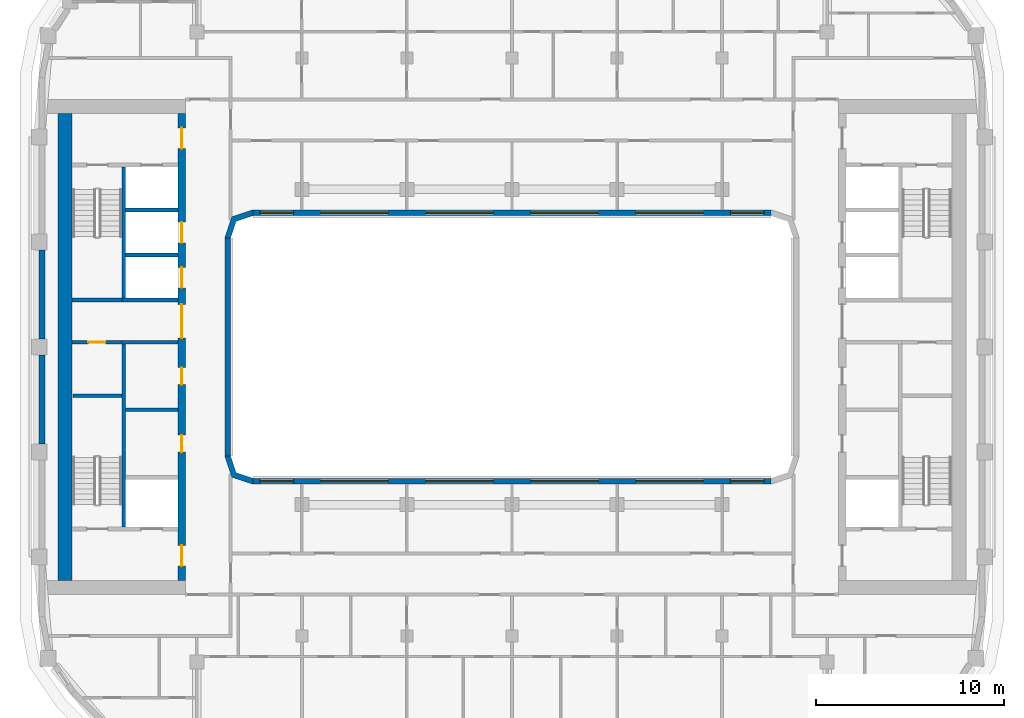
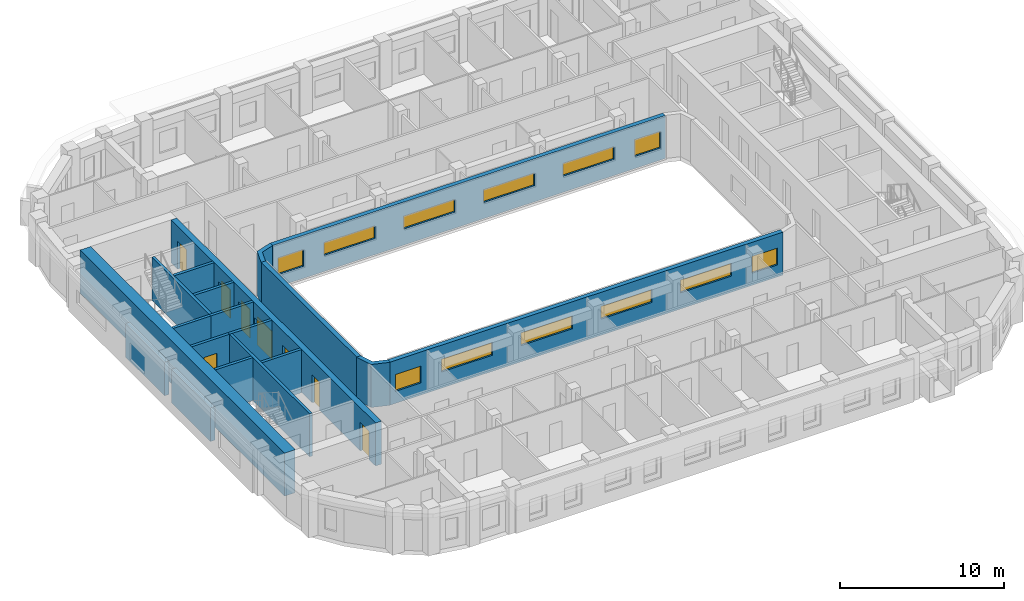
# One storey, part 4 of 21: 19 walls, 12 windows, 8 doors, 20 openings.
"""IFC4 building model written with IfcOpenShell, lengths in metres."""

import ifcopenshell
import ifcopenshell.guid

model = None  # the IFC model being written
_history = None  # IfcOwnerHistory: only IFC2X3 demands one
_inside = {}  # id of a spatial element -> (the spatial element, [elements in it])
_under = {}  # id of a project, library or spatial element -> (it, [spatial elements below it])
_declared = {}  # id of a project -> (the project, [libraries it declares])
_typed = {}  # id of a type object -> (the type object, [elements of that type])
_made_of = {}  # id of a material, layer set ... -> (it, [elements and type objects made of it])


def new_model(schema):
    """Start an empty IFC model of exactly this schema.

    Asked for "IFC4X3", IfcOpenShell would pick the latest addendum, in which some entities
    have other attributes; the version numbers below select the first issue.
    IFC2X3 requires an IfcOwnerHistory on every rooted entity: one is made here for all.
    """
    global model, _history
    if schema == "IFC4X3":
        model = ifcopenshell.file(schema_version=(4, 3, 0, 0))
    else:
        model = ifcopenshell.file(schema=schema)
    _inside.clear()
    _under.clear()
    _declared.clear()
    _typed.clear()
    _made_of.clear()
    _history = None
    if model.schema == "IFC2X3":
        org = make("IfcOrganization", Name="unknown")
        user = make(
            "IfcPersonAndOrganization",
            ThePerson=make("IfcPerson", FamilyName="unknown"),
            TheOrganization=org,
        )
        app = make(
            "IfcApplication",
            ApplicationDeveloper=org,
            Version="unknown",
            ApplicationFullName="unknown",
            ApplicationIdentifier="unknown",
        )
        _history = make(
            "IfcOwnerHistory",
            OwningUser=user,
            OwningApplication=app,
            ChangeAction="ADDED",
            CreationDate=0,
        )
    return model


def make(cls, **values):
    """One entity of the class cls with the attributes given. An attribute that is None is left unset."""
    return model.create_entity(
        cls, **{name: value for name, value in values.items() if value is not None}
    )


def rooted(cls, **values):
    """An entity with a GlobalId (a new one), such as an element, a storey or a relation."""
    return make(cls, GlobalId=ifcopenshell.guid.new(), OwnerHistory=_history, **values)


def si_unit(unit_type, name, prefix=None):
    """IfcSIUnit, for example si_unit("LENGTHUNIT", "METRE", prefix="MILLI")."""
    return make("IfcSIUnit", UnitType=unit_type, Prefix=prefix, Name=name)


def assignment(units):
    """IfcUnitAssignment: the units of a project."""
    return None if units is None else make("IfcUnitAssignment", Units=units)


def point(xyz):
    """IfcCartesianPoint."""
    return None if xyz is None else make("IfcCartesianPoint", Coordinates=xyz)


def direction(xyz):
    """IfcDirection."""
    return None if xyz is None else make("IfcDirection", DirectionRatios=xyz)


def frame(location, z_axis=None, x_axis=None):
    """IfcAxis2Placement3D, a coordinate frame: its origin and axes. An axis left out is left unset."""
    return make(
        "IfcAxis2Placement3D",
        Location=point(location),
        Axis=direction(z_axis),
        RefDirection=direction(x_axis),
    )


def frame_2d(location, x_axis=None):
    """IfcAxis2Placement2D, a coordinate frame in the plane: its origin and x axis."""
    return make(
        "IfcAxis2Placement2D", Location=point(location), RefDirection=direction(x_axis)
    )


def origin():
    """The frame at (0, 0, 0) with its axes left unset."""
    return frame((0.0, 0.0, 0.0))


def place(relative_to, where):
    """IfcLocalPlacement: puts the frame where relative to a parent placement (None: the world)."""
    return make(
        "IfcLocalPlacement", PlacementRelTo=relative_to, RelativePlacement=where
    )


def context(
    kind, dimensions, precision=None, world=None, true_north=None, identifier=None
):
    """IfcGeometricRepresentationContext, for example the 3D "Model" context."""
    return make(
        "IfcGeometricRepresentationContext",
        ContextIdentifier=identifier,
        ContextType=kind,
        CoordinateSpaceDimension=dimensions,
        Precision=precision,
        WorldCoordinateSystem=world,
        TrueNorth=true_north,
    )


def subcontext(parent, identifier, kind, view, scale=None):
    """IfcGeometricRepresentationSubContext, for example "Body" below "Model"."""
    return make(
        "IfcGeometricRepresentationSubContext",
        ContextIdentifier=identifier,
        ContextType=kind,
        ParentContext=parent,
        TargetScale=scale,
        TargetView=view,
    )


def project(units=None, contexts=None):
    """IfcProject with its units and contexts."""
    return rooted(
        "IfcProject",
        Name="project",
        RepresentationContexts=contexts,
        UnitsInContext=assignment(units),
    )


def spatial(cls, under=None, at=None, **own):
    """A site, building, storey or space (cls), placed at a placement, below another one or the project."""
    s = rooted(cls, ObjectPlacement=at, **own)
    if under is not None:
        _under.setdefault(under.id(), (under, []))[1].append(s)
    return s


def polyline(points):
    """IfcPolyline through the points."""
    return make("IfcPolyline", Points=[point(p) for p in points])


def profile(cls, at=None, kind="AREA", **sizes):
    """A parametric profile (cls). Its sizes go by their IFC names, for example OverallWidth=200.0."""
    return make(cls, ProfileType=kind, Position=at, **sizes)


def rectangle(**sizes):
    """IfcRectangleProfileDef."""
    return profile("IfcRectangleProfileDef", **sizes)


def outline(outer, holes=None, kind="AREA"):
    """IfcArbitraryClosedProfileDef: a profile drawn as a closed curve; with holes, ...WithVoids."""
    if holes is None:
        return make("IfcArbitraryClosedProfileDef", ProfileType=kind, OuterCurve=outer)
    return make(
        "IfcArbitraryProfileDefWithVoids",
        ProfileType=kind,
        OuterCurve=outer,
        InnerCurves=holes,
    )


def extrude(swept, where, along, depth):
    """IfcExtrudedAreaSolid: the profile swept, set in the frame where, extruded along a direction by depth."""
    return make(
        "IfcExtrudedAreaSolid",
        SweptArea=swept,
        Position=where,
        ExtrudedDirection=direction(along),
        Depth=depth,
    )


def shape(context_of_items, identifier, shape_type, items):
    """IfcShapeRepresentation: the items that make up one representation, for example the "Body"."""
    return make(
        "IfcShapeRepresentation",
        ContextOfItems=context_of_items,
        RepresentationIdentifier=identifier,
        RepresentationType=shape_type,
        Items=items,
    )


def material(Name=None, Category=None):
    """IfcMaterial."""
    return make("IfcMaterial", Name=Name, Category=Category)


def layer(
    of_material, thickness, ventilated=None, Name=None, Category=None, Priority=None
):
    """IfcMaterialLayer: one layer of a wall or slab, of a material (None: an air gap)."""
    return make(
        "IfcMaterialLayer",
        Material=of_material,
        LayerThickness=thickness,
        IsVentilated=ventilated,
        Name=Name,
        Category=Category,
        Priority=Priority,
    )


def layer_set(layers, Name=None):
    """IfcMaterialLayerSet."""
    return make("IfcMaterialLayerSet", MaterialLayers=layers, LayerSetName=Name)


def made_of(thing, what):
    """Note that an element or type object is made of a material, layer set ...; save() writes the relation."""
    if what is not None:
        _made_of.setdefault(what.id(), (what, []))[1].append(thing)
    return thing


def type_object(cls, material=None, **own):
    """A type object (cls), such as IfcWallType, which elements share."""
    return made_of(rooted(cls, **own), material)


def element(
    cls,
    number,
    at=None,
    inside=None,
    cuts=None,
    type_object=None,
    material=None,
    context=None,
    identifier="Body",
    shape_type=None,
    held_by="IfcProductDefinitionShape",
    body=None,
    shapes=None,
    **own,
):
    """One element of the class cls, such as IfcWall. Its Tag is "e" and its number.

    at: its placement. inside: the storey or other place that contains it. cuts: it is an
    opening in that element (IfcRelVoidsElement). A single representation is given by context,
    identifier, shape_type and body (its items); several are given by shapes. held_by: the class
    of the entity that holds the representations. save() writes the other relations.
    """
    e = rooted(cls, Tag="e%d" % number, ObjectPlacement=at, **own)
    if body is not None:
        shapes = [shape(context, identifier, shape_type, body)]
    if shapes is not None:
        e.Representation = make(held_by, Representations=shapes)
    if inside is not None:
        _inside.setdefault(inside.id(), (inside, []))[1].append(e)
    if cuts is not None:
        rooted(
            "IfcRelVoidsElement", RelatingBuildingElement=cuts, RelatedOpeningElement=e
        )
    if type_object is not None:
        _typed.setdefault(type_object.id(), (type_object, []))[1].append(e)
    return made_of(e, material)


def fill(opening, filler):
    """IfcRelFillsElement: the door or window that sits in an opening."""
    return rooted(
        "IfcRelFillsElement",
        RelatingOpeningElement=opening,
        RelatedBuildingElement=filler,
    )


def aggregate(whole, parts):
    """IfcRelAggregates: a whole, such as a stair, and the parts it consists of."""
    return rooted("IfcRelAggregates", RelatingObject=whole, RelatedObjects=parts)


def save(model, path):
    """Write the relations noted so far, then the file.

    IfcRelAggregates (storeys below a building ...), IfcRelContainedInSpatialStructure (elements
    in a storey), IfcRelDefinesByType, IfcRelAssociatesMaterial and IfcRelDeclares: one each for
    every whole, place, type object, material and project.
    """
    for whole, parts in _under.values():
        aggregate(whole, parts)
    for where, things in _inside.values():
        rooted(
            "IfcRelContainedInSpatialStructure",
            RelatedElements=things,
            RelatingStructure=where,
        )
    for kind, things in _typed.values():
        rooted("IfcRelDefinesByType", RelatedObjects=things, RelatingType=kind)
    for what, things in _made_of.values():
        rooted("IfcRelAssociatesMaterial", RelatedObjects=things, RelatingMaterial=what)
    for by, libraries in _declared.values():
        rooted("IfcRelDeclares", RelatingContext=by, RelatedDefinitions=libraries)
    model.write(path)


model = new_model("IFC4")

# Units and contexts
model_context = context("Model", 3, precision=1e-05, world=origin(), true_north=direction((0.0, 1.0)))
body_context = subcontext(model_context, "Body", "Model", "MODEL_VIEW")
ifc_project = project(units=[si_unit("LENGTHUNIT", "METRE"), si_unit("AREAUNIT", "SQUARE_METRE"), si_unit("VOLUMEUNIT", "CUBIC_METRE"), si_unit("PLANEANGLEUNIT", "RADIAN"), si_unit("MASSUNIT", "GRAM", prefix="KILO")], contexts=[model_context])

# Site, building, storey
site_placement = place(None, origin())
site = spatial("IfcSite", under=ifc_project, at=site_placement, CompositionType="ELEMENT")
building_placement = place(site_placement, origin())
building = spatial("IfcBuilding", under=site, at=building_placement, Name="Kiln Ring Residences", CompositionType="ELEMENT")
storey_placement = place(building_placement, frame((0.0, 0.0, 216.89990234375)))
storey = spatial("IfcBuildingStorey", under=building, at=storey_placement, Name="L56", CompositionType="ELEMENT", Elevation=216.89990234375)

# Wall, opening, door
ifc_material_1 = material(Name="Gypsum board on steel studs", Category="steel")
ifc_layer_1 = layer(ifc_material_1, 0.199951171875)
ifc_layer_set_1 = layer_set([ifc_layer_1], Name="CORE-PARTITION-200")
wall_type_1 = type_object("IfcWallType", Name="CORE-PARTITION-200", PredefinedType="PARTITIONING", material=ifc_layer_set_1)
wall_1_placement = place(storey_placement, frame((-20.800048828125, 0.25, 0.0), z_axis=(0.0, 0.0, 1.0), x_axis=(-1.0, 0.0, 0.0)))
wall_1 = element("IfcWall", 1, at=wall_1_placement, inside=storey, type_object=wall_type_1, Name="Core partition west L56 1", PredefinedType="PARTITIONING", context=body_context, shape_type="SweptSolid", body=[
    extrude(rectangle(XDim=2.64990234375, YDim=0.199951171875, at=frame_2d((1.324951171875, 0.0))), origin(), (0.0, 0.0, 1.0), 3.2001953125),
])
opening_1_placement = place(wall_1_placement, frame((0.875, 0.0, 0.0)))
opening_1 = element("IfcOpeningElement", 2, at=opening_1_placement, cuts=wall_1, Name="Opening L56-CW12", PredefinedType="OPENING", context=body_context, shape_type="SweptSolid", body=[
    extrude(rectangle(XDim=0.89990234375, YDim=2.10009765625, at=frame_2d((0.449951171875, 1.050048828125))), frame((0.0, 0.10986328125, 0.0), z_axis=(0.0, -1.0, 0.0), x_axis=(1.0, 0.0, 0.0)), (0.0, 0.0, 1.0), 0.219970703125),
])
ifc_material_2 = material(Name="Steel door leaf", Category="steel")
door_type_1 = type_object("IfcDoorType", Name="CORE-DOOR-ROOM", OperationType="SINGLE_SWING_LEFT", PredefinedType="DOOR", material=ifc_material_2)
door_1_placement = place(opening_1_placement, origin())
door_1 = element("IfcDoor", 3, at=door_1_placement, inside=storey, type_object=door_type_1, Name="Cleaner's store L56-CW12", OperationType="SINGLE_SWING_RIGHT", OverallHeight=2.10009765625, OverallWidth=0.89990234375, PredefinedType="DOOR", context=body_context, shape_type="SweptSolid", body=[
    extrude(rectangle(XDim=0.89990234375, YDim=2.10009765625, at=frame_2d((0.449951171875, 1.050048828125))), frame((0.0, 0.02490234375, 0.0), z_axis=(0.0, -1.0, 0.0), x_axis=(1.0, 0.0, 0.0)), (0.0, 0.0, 1.0), 0.050048828125),
])
fill(opening_1, door_1)

# Walls
wall_2_placement = place(storey_placement, frame((-17.800048828125, -3.35009765625, 0.0), z_axis=(0.0, 0.0, 1.0), x_axis=(-1.0, 0.0, 0.0)))
element("IfcWall", 4, at=wall_2_placement, inside=storey, type_object=wall_type_1, Name="Core partition west L56 2", PredefinedType="PARTITIONING", context=body_context, shape_type="SweptSolid", body=[
    extrude(rectangle(XDim=2.800048828125, YDim=0.199951171875, at=frame_2d((1.39990234375, 0.0))), origin(), (0.0, 0.0, 1.0), 3.2001953125),
])
ifc_material_3 = material(Name="Gypsum shaft wall system")
ifc_layer_2 = layer(ifc_material_3, 0.199951171875)
ifc_layer_set_2 = layer_set([ifc_layer_2], Name="CORE-SHAFT-WALL-200")
wall_type_2 = type_object("IfcWallType", Name="CORE-SHAFT-WALL-200", PredefinedType="PARTITIONING", material=ifc_layer_set_2)
for number, where, z_axis, x_axis, name in (
    (5, (-17.800048828125, 0.25, 0.0), (0.0, 0.0, 1.0), (-1.0, 0.0, 0.0), "Core partition west L56 4"),
    (6, (-17.800048828125, 2.5, 0.0), (0.0, 0.0, 1.0), (-1.0, 0.0, 0.0), "Core partition west L56 5"),
):
    element("IfcWall", number, at=place(storey_placement, frame(where, z_axis=z_axis, x_axis=x_axis)), inside=storey, type_object=wall_type_2, Name=name, PredefinedType="PARTITIONING", context=body_context, shape_type="SweptSolid", body=[
        extrude(rectangle(XDim=3.0, YDim=0.199951171875, at=frame_2d((1.5, 0.0))), origin(), (0.0, 0.0, 1.0), 3.2001953125),
    ])
for number, where, z_axis, x_axis, name in (
    (7, (-17.800048828125, 4.89990234375, 0.0), (0.0, 0.0, 1.0), (-1.0, 0.0, 0.0), "Core partition west L56 6"),
    (8, (-17.800048828125, 7.300048828125, 0.0), (0.0, 0.0, 1.0), (-1.0, 0.0, 0.0), "Core partition west L56 7"),
):
    element("IfcWall", number, at=place(storey_placement, frame(where, z_axis=z_axis, x_axis=x_axis)), inside=storey, type_object=wall_type_2, Name=name, PredefinedType="PARTITIONING", context=body_context, shape_type="SweptSolid", body=[
        extrude(rectangle(XDim=2.800048828125, YDim=0.199951171875, at=frame_2d((1.39990234375, 0.0))), origin(), (0.0, 0.0, 1.0), 3.2001953125),
    ])
ifc_material_4 = material(Name="Concrete C40/50", Category="concrete")
ifc_layer_3 = layer(ifc_material_4, 0.199951171875)
ifc_layer_set_3 = layer_set([ifc_layer_3], Name="CORE-WALL-RC200")
wall_type_3 = type_object("IfcWallType", Name="CORE-WALL-RC200", PredefinedType="SHEAR", material=ifc_layer_set_3)
wall_3_placement = place(storey_placement, frame((-20.699951171875, 2.60009765625, 0.0), z_axis=(0.0, 0.0, 1.0), x_axis=(0.0, 1.0, 0.0)))
element("IfcWall", 9, at=wall_3_placement, inside=storey, type_object=wall_type_3, Name="Core wall west L56 1", PredefinedType="SHEAR", context=body_context, shape_type="SweptSolid", body=[
    extrude(rectangle(XDim=7.0, YDim=0.199951171875, at=frame_2d((3.5, 0.0))), origin(), (0.0, 0.0, 1.0), 3.2001953125),
])
wall_4_placement = place(storey_placement, frame((-20.699951171875, -9.60009765625, 0.0), z_axis=(0.0, 0.0, 1.0), x_axis=(0.0, 1.0, 0.0)))
element("IfcWall", 10, at=wall_4_placement, inside=storey, type_object=wall_type_3, Name="Core wall west L56 2", PredefinedType="SHEAR", context=body_context, shape_type="SweptSolid", body=[
    extrude(rectangle(XDim=9.75, YDim=0.199951171875, at=frame_2d((4.875, 0.0))), origin(), (0.0, 0.0, 1.0), 3.2001953125),
])
wall_5_placement = place(storey_placement, frame((-20.800048828125, 2.5, 0.0), z_axis=(0.0, 0.0, 1.0), x_axis=(-1.0, 0.0, 0.0)))
element("IfcWall", 11, at=wall_5_placement, inside=storey, type_object=wall_type_3, Name="Core wall west L56 3", PredefinedType="SHEAR", context=body_context, shape_type="SweptSolid", body=[
    extrude(rectangle(XDim=2.64990234375, YDim=0.199951171875, at=frame_2d((1.324951171875, 0.0))), origin(), (0.0, 0.0, 1.0), 3.2001953125),
])
wall_6_placement = place(storey_placement, frame((-20.800048828125, -2.60009765625, 0.0), z_axis=(0.0, 0.0, 1.0), x_axis=(-1.0, 0.0, 0.0)))
element("IfcWall", 12, at=wall_6_placement, inside=storey, type_object=wall_type_3, Name="Core wall west L56 10", PredefinedType="SHEAR", context=body_context, shape_type="SweptSolid", body=[
    extrude(rectangle(XDim=2.599853515625, YDim=0.199951171875, at=frame_2d((1.2998046875, 0.0))), origin(), (0.0, 0.0, 1.0), 3.2001953125),
])

# Wall, openings, doors
ifc_material_5 = material(Name="Concrete C60/75", Category="concrete")
ifc_layer_4 = layer(ifc_material_5, 0.39990234375)
ifc_layer_set_4 = layer_set([ifc_layer_4], Name="CORE-WALL-RC400")
wall_type_4 = type_object("IfcWallType", Name="CORE-WALL-RC400", PredefinedType="SHEAR", material=ifc_layer_set_4)
wall_7_placement = place(storey_placement, frame((-17.60009765625, -12.449951171875, 0.0), z_axis=(0.0, 0.0, 1.0), x_axis=(0.0, 1.0, 0.0)))
wall_7 = element("IfcWall", 13, at=wall_7_placement, inside=storey, type_object=wall_type_4, Name="Core wall west L56 6", PredefinedType="SHEAR", context=body_context, shape_type="SweptSolid", body=[
    extrude(rectangle(XDim=24.89990234375, YDim=0.39990234375, at=frame_2d((12.449951171875, 0.0))), origin(), (0.0, 0.0, 1.0), 3.2001953125),
])
opening_2_placement = place(wall_7_placement, frame((6.85009765625, 0.0, 0.0)))
opening_2 = element("IfcOpeningElement", 14, at=opening_2_placement, cuts=wall_7, Name="Opening L56-CW02", PredefinedType="OPENING", context=body_context, shape_type="SweptSolid", body=[
    extrude(rectangle(XDim=0.89990234375, YDim=2.10009765625, at=frame_2d((0.449951171875, 1.050048828125))), frame((0.0, 0.2099609375, 0.0), z_axis=(0.0, -1.0, 0.0), x_axis=(1.0, 0.0, 0.0)), (0.0, 0.0, 1.0), 0.419921875),
])
opening_3_placement = place(wall_7_placement, frame((10.449951171875, 0.0, 0.0)))
opening_3 = element("IfcOpeningElement", 15, at=opening_3_placement, cuts=wall_7, Name="Opening L56-CW03", PredefinedType="OPENING", context=body_context, shape_type="SweptSolid", body=[
    extrude(rectangle(XDim=0.89990234375, YDim=2.10009765625, at=frame_2d((0.449951171875, 1.050048828125))), frame((0.0, 0.2099609375, 0.0), z_axis=(0.0, -1.0, 0.0), x_axis=(1.0, 0.0, 0.0)), (0.0, 0.0, 1.0), 0.419921875),
])
opening_4_placement = place(wall_7_placement, frame((15.60009765625, 0.0, 0.0)))
opening_4 = element("IfcOpeningElement", 16, at=opening_4_placement, cuts=wall_7, Name="Opening L56-CW04", PredefinedType="OPENING", context=body_context, shape_type="SweptSolid", body=[
    extrude(rectangle(XDim=1.10009765625, YDim=2.10009765625, at=frame_2d((0.550048828125, 1.050048828125))), frame((0.0, 0.2099609375, 0.0), z_axis=(0.0, -1.0, 0.0), x_axis=(1.0, 0.0, 0.0)), (0.0, 0.0, 1.0), 0.419921875),
])
opening_5_placement = place(wall_7_placement, frame((18.0, 0.0, 0.0)))
opening_5 = element("IfcOpeningElement", 17, at=opening_5_placement, cuts=wall_7, Name="Opening L56-CW05", PredefinedType="OPENING", context=body_context, shape_type="SweptSolid", body=[
    extrude(rectangle(XDim=1.10009765625, YDim=2.10009765625, at=frame_2d((0.550048828125, 1.050048828125))), frame((0.0, 0.2099609375, 0.0), z_axis=(0.0, -1.0, 0.0), x_axis=(1.0, 0.0, 0.0)), (0.0, 0.0, 1.0), 0.419921875),
])
opening_6_placement = place(wall_7_placement, frame((23.02490234375, 0.0, 0.0)))
opening_6 = element("IfcOpeningElement", 18, at=opening_6_placement, cuts=wall_7, Name="Opening L56-CW07", PredefinedType="OPENING", context=body_context, shape_type="SweptSolid", body=[
    extrude(rectangle(XDim=1.10009765625, YDim=2.10009765625, at=frame_2d((0.550048828125, 1.050048828125))), frame((0.0, 0.2099609375, 0.0), z_axis=(0.0, -1.0, 0.0), x_axis=(1.0, 0.0, 0.0)), (0.0, 0.0, 1.0), 0.419921875),
])
opening_7_placement = place(wall_7_placement, frame((0.77490234375, 0.0, 0.0)))
opening_7 = element("IfcOpeningElement", 19, at=opening_7_placement, cuts=wall_7, Name="Opening L56-CW08", PredefinedType="OPENING", context=body_context, shape_type="SweptSolid", body=[
    extrude(rectangle(XDim=1.10009765625, YDim=2.10009765625, at=frame_2d((0.550048828125, 1.050048828125))), frame((0.0, 0.2099609375, 0.0), z_axis=(0.0, -1.0, 0.0), x_axis=(1.0, 0.0, 0.0)), (0.0, 0.0, 1.0), 0.419921875),
])
opening_8_placement = place(wall_7_placement, frame((12.925048828125, 0.0, 0.0)))
opening_8 = element("IfcOpeningElement", 20, at=opening_8_placement, cuts=wall_7, Name="Opening L56-CW11", PredefinedType="OPENING", context=body_context, shape_type="SweptSolid", body=[
    extrude(rectangle(XDim=1.800048828125, YDim=2.10009765625, at=frame_2d((0.89990234375, 1.050048828125))), frame((0.0, 0.2099609375, 0.0), z_axis=(0.0, -1.0, 0.0), x_axis=(1.0, 0.0, 0.0)), (0.0, 0.0, 1.0), 0.419921875),
])
ifc_material_6 = material(Name="Steel door leaf", Category="steel")
door_type_2 = type_object("IfcDoorType", Name="CORE-DOOR-LD", OperationType="DOUBLE_DOOR_SLIDING", PredefinedType="DOOR", material=ifc_material_6)
door_2_placement = place(opening_4_placement, origin())
door_2 = element("IfcDoor", 21, at=door_2_placement, inside=storey, type_object=door_type_2, Name="LD W-M1 L56-CW04", OperationType="DOUBLE_DOOR_SLIDING", OverallHeight=2.10009765625, OverallWidth=1.10009765625, PredefinedType="DOOR", context=body_context, shape_type="SweptSolid", body=[
    extrude(rectangle(XDim=1.10009765625, YDim=2.10009765625, at=frame_2d((0.550048828125, 1.050048828125))), frame((0.0, 0.02490234375, 0.0), z_axis=(0.0, -1.0, 0.0), x_axis=(1.0, 0.0, 0.0)), (0.0, 0.0, 1.0), 0.050048828125),
])
fill(opening_4, door_2)
door_3_placement = place(opening_5_placement, origin())
door_3 = element("IfcDoor", 22, at=door_3_placement, inside=storey, type_object=door_type_2, Name="LD W-M2 L56-CW05", OperationType="DOUBLE_DOOR_SLIDING", OverallHeight=2.10009765625, OverallWidth=1.10009765625, PredefinedType="DOOR", context=body_context, shape_type="SweptSolid", body=[
    extrude(rectangle(XDim=1.10009765625, YDim=2.10009765625, at=frame_2d((0.550048828125, 1.050048828125))), frame((0.0, 0.02490234375, 0.0), z_axis=(0.0, -1.0, 0.0), x_axis=(1.0, 0.0, 0.0)), (0.0, 0.0, 1.0), 0.050048828125),
])
fill(opening_5, door_3)
ifc_material_7 = material(Name="Steel door leaf", Category="steel")
door_type_3 = type_object("IfcDoorType", Name="CORE-DOOR-LOBBY", OperationType="SINGLE_SWING_LEFT", PredefinedType="DOOR", material=ifc_material_7)
door_4_placement = place(opening_6_placement, origin())
door_4 = element("IfcDoor", 23, at=door_4_placement, inside=storey, type_object=door_type_3, Name="FFL L56-CW07", OperationType="SINGLE_SWING_RIGHT", OverallHeight=2.10009765625, OverallWidth=1.10009765625, PredefinedType="DOOR", context=body_context, shape_type="SweptSolid", body=[
    extrude(rectangle(XDim=1.10009765625, YDim=2.10009765625, at=frame_2d((0.550048828125, 1.050048828125))), frame((0.0, 0.02490234375, 0.0), z_axis=(0.0, -1.0, 0.0), x_axis=(1.0, 0.0, 0.0)), (0.0, 0.0, 1.0), 0.050048828125),
])
fill(opening_6, door_4)
door_5_placement = place(opening_7_placement, origin())
door_5 = element("IfcDoor", 24, at=door_5_placement, inside=storey, type_object=door_type_3, Name="SVL L56-CW08", OperationType="SINGLE_SWING_LEFT", OverallHeight=2.10009765625, OverallWidth=1.10009765625, PredefinedType="DOOR", context=body_context, shape_type="SweptSolid", body=[
    extrude(rectangle(XDim=1.10009765625, YDim=2.10009765625, at=frame_2d((0.550048828125, 1.050048828125))), frame((0.0, 0.02490234375, 0.0), z_axis=(0.0, -1.0, 0.0), x_axis=(1.0, 0.0, 0.0)), (0.0, 0.0, 1.0), 0.050048828125),
])
fill(opening_7, door_5)
ifc_material_8 = material(Name="Steel door leaf", Category="steel")
door_type_4 = type_object("IfcDoorType", Name="CORE-DOOR-PASS", OperationType="DOUBLE_DOOR_SINGLE_SWING", PredefinedType="DOOR", material=ifc_material_8)
door_6_placement = place(opening_8_placement, origin())
door_6 = element("IfcDoor", 25, at=door_6_placement, inside=storey, type_object=door_type_4, Name="Core passage L56-CW11", OperationType="DOUBLE_DOOR_SINGLE_SWING", OverallHeight=2.10009765625, OverallWidth=1.800048828125, PredefinedType="DOOR", context=body_context, shape_type="SweptSolid", body=[
    extrude(rectangle(XDim=1.800048828125, YDim=2.10009765625, at=frame_2d((0.89990234375, 1.050048828125))), frame((0.0, 0.02490234375, 0.0), z_axis=(0.0, -1.0, 0.0), x_axis=(1.0, 0.0, 0.0)), (0.0, 0.0, 1.0), 0.050048828125),
])
fill(opening_8, door_6)
door_7_placement = place(opening_2_placement, origin())
door_7 = element("IfcDoor", 26, at=door_7_placement, inside=storey, type_object=door_type_1, Name="Housekeeping store L56-CW02", OperationType="SINGLE_SWING_RIGHT", OverallHeight=2.10009765625, OverallWidth=0.89990234375, PredefinedType="DOOR", context=body_context, shape_type="SweptSolid", body=[
    extrude(rectangle(XDim=0.89990234375, YDim=2.10009765625, at=frame_2d((0.449951171875, 1.050048828125))), frame((0.0, 0.02490234375, 0.0), z_axis=(0.0, -1.0, 0.0), x_axis=(1.0, 0.0, 0.0)), (0.0, 0.0, 1.0), 0.050048828125),
])
fill(opening_2, door_7)
door_8_placement = place(opening_3_placement, origin())
door_8 = element("IfcDoor", 27, at=door_8_placement, inside=storey, type_object=door_type_1, Name="Linen store L56-CW03", OperationType="SINGLE_SWING_LEFT", OverallHeight=2.10009765625, OverallWidth=0.89990234375, PredefinedType="DOOR", context=body_context, shape_type="SweptSolid", body=[
    extrude(rectangle(XDim=0.89990234375, YDim=2.10009765625, at=frame_2d((0.449951171875, 1.050048828125))), frame((0.0, 0.02490234375, 0.0), z_axis=(0.0, -1.0, 0.0), x_axis=(1.0, 0.0, 0.0)), (0.0, 0.0, 1.0), 0.050048828125),
])
fill(opening_3, door_8)

# Walls
ifc_material_9 = material(Name="Concrete C60/75", Category="concrete")
ifc_layer_5 = layer(ifc_material_9, 0.75)
ifc_layer_set_5 = layer_set([ifc_layer_5], Name="CORE-WALL-RC750")
wall_type_5 = type_object("IfcWallType", Name="CORE-WALL-RC750", PredefinedType="SHEAR", material=ifc_layer_set_5)
wall_8_placement = place(storey_placement, frame((-23.824951171875, -12.449951171875, 0.0), z_axis=(0.0, 0.0, 1.0), x_axis=(0.0, 1.0, 0.0)))
element("IfcWall", 28, at=wall_8_placement, inside=storey, type_object=wall_type_5, Name="Core wall west L56 7", PredefinedType="SHEAR", context=body_context, shape_type="SweptSolid", body=[
    extrude(rectangle(XDim=24.89990234375, YDim=0.75, at=frame_2d((12.449951171875, 0.0))), origin(), (0.0, 0.0, 1.0), 3.2001953125),
])
ifc_material_10 = material(Name="Brick masonry, dark clay brick", Category="masonry")
ifc_layer_6 = layer(ifc_material_10, 0.300048828125)
ifc_layer_set_6 = layer_set([ifc_layer_6], Name="EW-300 BRICK WALL")
wall_type_6 = type_object("IfcWallType", Name="EW-300 BRICK WALL", PredefinedType="SOLIDWALL", material=ifc_layer_set_6)
for number, where, z_axis, x_axis, name in (
    (29, (-25.050048828125, 5.175048828125, 0.0), (0.0, 0.0, 1.0), (0.0, -1.0, 0.0), "Facade wall L56 41"),
    (30, (-25.050048828125, -0.425048828125, 0.0), (0.0, 0.0, 1.0), (0.0, -1.0, 0.0), "Facade wall L56 42"),
):
    element("IfcWall", number, at=place(storey_placement, frame(where, z_axis=z_axis, x_axis=x_axis)), inside=storey, type_object=wall_type_6, Name=name, PredefinedType="SOLIDWALL", context=body_context, shape_type="SweptSolid", body=[
        extrude(rectangle(XDim=4.75, YDim=0.300048828125, at=frame_2d((2.375, 0.0))), origin(), (0.0, 0.0, 1.0), 2.5),
    ])
wall_9_placement = place(storey_placement, frame((-15.14990234375, -5.800048828125, 0.0), z_axis=(0.0, 0.0, 1.0), x_axis=(0.0, 1.0, 0.0)))
element("IfcWall", 31, at=wall_9_placement, inside=storey, type_object=wall_type_6, Name="Facade wall L56 47", PredefinedType="SOLIDWALL", context=body_context, shape_type="SweptSolid", body=[
    extrude(rectangle(XDim=11.60009765625, YDim=0.300048828125, at=frame_2d((5.800048828125, 0.0))), origin(), (0.0, 0.0, 1.0), 3.2001953125),
])

# Wall, openings, windows
wall_10_placement = place(storey_placement, frame((-13.800048828125, 7.14990234375, 0.0), z_axis=(0.0, 0.0, 1.0), x_axis=(1.0, 0.0, 0.0)))
wall_10 = element("IfcWall", 32, at=wall_10_placement, inside=storey, type_object=wall_type_6, Name="Facade wall L56 48", PredefinedType="SOLIDWALL", context=body_context, shape_type="SweptSolid", body=[
    extrude(rectangle(XDim=27.60009765625, YDim=0.300048828125, at=frame_2d((13.800048828125, 0.0))), origin(), (0.0, 0.0, 1.0), 3.2001953125),
])
opening_9_placement = place(wall_10_placement, frame((0.362548828125, 0.0, 0.89990234375)))
opening_9 = element("IfcOpeningElement", 33, at=opening_9_placement, cuts=wall_10, Name="Opening W2", PredefinedType="OPENING", context=body_context, shape_type="SweptSolid", body=[
    extrude(rectangle(XDim=1.800048828125, YDim=1.25, at=frame_2d((0.89990234375, 0.625))), frame((0.0, 0.159912109375, 0.0), z_axis=(0.0, -1.0, 0.0), x_axis=(1.0, 0.0, 0.0)), (0.0, 0.0, 1.0), 0.320068359375),
])
opening_10_placement = place(wall_10_placement, frame((3.60009765625, 0.0, 1.199951171875)))
opening_10 = element("IfcOpeningElement", 34, at=opening_10_placement, cuts=wall_10, Name="Opening W4", PredefinedType="OPENING", context=body_context, shape_type="SweptSolid", body=[
    extrude(rectangle(XDim=3.60009765625, YDim=0.949951171875, at=frame_2d((1.800048828125, 0.47509765625))), frame((0.0, 0.159912109375, 0.0), z_axis=(0.0, -1.0, 0.0), x_axis=(1.0, 0.0, 0.0)), (0.0, 0.0, 1.0), 0.320068359375),
])
opening_11_placement = place(wall_10_placement, frame((9.199951171875, 0.0, 1.199951171875)))
opening_11 = element("IfcOpeningElement", 35, at=opening_11_placement, cuts=wall_10, Name="Opening W4", PredefinedType="OPENING", context=body_context, shape_type="SweptSolid", body=[
    extrude(rectangle(XDim=3.60009765625, YDim=0.949951171875, at=frame_2d((1.800048828125, 0.47509765625))), frame((0.0, 0.159912109375, 0.0), z_axis=(0.0, -1.0, 0.0), x_axis=(1.0, 0.0, 0.0)), (0.0, 0.0, 1.0), 0.320068359375),
])
opening_12_placement = place(wall_10_placement, frame((14.800048828125, 0.0, 1.199951171875)))
opening_12 = element("IfcOpeningElement", 36, at=opening_12_placement, cuts=wall_10, Name="Opening W4", PredefinedType="OPENING", context=body_context, shape_type="SweptSolid", body=[
    extrude(rectangle(XDim=3.60009765625, YDim=0.949951171875, at=frame_2d((1.800048828125, 0.47509765625))), frame((0.0, 0.159912109375, 0.0), z_axis=(0.0, -1.0, 0.0), x_axis=(1.0, 0.0, 0.0)), (0.0, 0.0, 1.0), 0.320068359375),
])
opening_13_placement = place(wall_10_placement, frame((20.39990234375, 0.0, 1.199951171875)))
opening_13 = element("IfcOpeningElement", 37, at=opening_13_placement, cuts=wall_10, Name="Opening W4", PredefinedType="OPENING", context=body_context, shape_type="SweptSolid", body=[
    extrude(rectangle(XDim=3.60009765625, YDim=0.949951171875, at=frame_2d((1.800048828125, 0.47509765625))), frame((0.0, 0.159912109375, 0.0), z_axis=(0.0, -1.0, 0.0), x_axis=(1.0, 0.0, 0.0)), (0.0, 0.0, 1.0), 0.320068359375),
])
opening_14_placement = place(wall_10_placement, frame((25.4375, 0.0, 0.89990234375)))
opening_14 = element("IfcOpeningElement", 38, at=opening_14_placement, cuts=wall_10, Name="Opening W2", PredefinedType="OPENING", context=body_context, shape_type="SweptSolid", body=[
    extrude(rectangle(XDim=1.800048828125, YDim=1.25, at=frame_2d((0.89990234375, 0.625))), frame((0.0, 0.159912109375, 0.0), z_axis=(0.0, -1.0, 0.0), x_axis=(1.0, 0.0, 0.0)), (0.0, 0.0, 1.0), 0.320068359375),
])
ifc_material_11 = material(Name="Aluminium frame with double glazing", Category="aluminium")
window_type_1 = type_object("IfcWindowType", Name="WINDOW 1800 x 1250", PartitioningType="SINGLE_PANEL", PredefinedType="WINDOW", material=ifc_material_11)
window_1_placement = place(opening_9_placement, origin())
window_1 = element("IfcWindow", 39, at=window_1_placement, inside=storey, type_object=window_type_1, Name="Window L56 35", OverallHeight=1.25, OverallWidth=1.800048828125, PartitioningType="SINGLE_PANEL", PredefinedType="WINDOW", context=body_context, shape_type="SweptSolid", body=[
    extrude(rectangle(XDim=1.800048828125, YDim=1.25, at=frame_2d((0.89990234375, 0.625))), frame((0.0, 0.030029296875, 0.0), z_axis=(0.0, -1.0, 0.0), x_axis=(1.0, 0.0, 0.0)), (0.0, 0.0, 1.0), 0.06005859375),
])
fill(opening_9, window_1)
window_2_placement = place(opening_14_placement, origin())
window_2 = element("IfcWindow", 40, at=window_2_placement, inside=storey, type_object=window_type_1, Name="Window L56 40", OverallHeight=1.25, OverallWidth=1.800048828125, PartitioningType="SINGLE_PANEL", PredefinedType="WINDOW", context=body_context, shape_type="SweptSolid", body=[
    extrude(rectangle(XDim=1.800048828125, YDim=1.25, at=frame_2d((0.89990234375, 0.625))), frame((0.0, 0.030029296875, 0.0), z_axis=(0.0, -1.0, 0.0), x_axis=(1.0, 0.0, 0.0)), (0.0, 0.0, 1.0), 0.06005859375),
])
fill(opening_14, window_2)
ifc_material_12 = material(Name="Aluminium frame with double glazing", Category="aluminium")
window_type_2 = type_object("IfcWindowType", Name="WINDOW 3600 x 950", PartitioningType="SINGLE_PANEL", PredefinedType="WINDOW", material=ifc_material_12)
window_3_placement = place(opening_10_placement, origin())
window_3 = element("IfcWindow", 41, at=window_3_placement, inside=storey, type_object=window_type_2, Name="Window L56 36", OverallHeight=0.949951171875, OverallWidth=3.60009765625, PartitioningType="SINGLE_PANEL", PredefinedType="WINDOW", context=body_context, shape_type="SweptSolid", body=[
    extrude(rectangle(XDim=3.60009765625, YDim=0.949951171875, at=frame_2d((1.800048828125, 0.47509765625))), frame((0.0, 0.030029296875, 0.0), z_axis=(0.0, -1.0, 0.0), x_axis=(1.0, 0.0, 0.0)), (0.0, 0.0, 1.0), 0.06005859375),
])
fill(opening_10, window_3)
window_4_placement = place(opening_11_placement, origin())
window_4 = element("IfcWindow", 42, at=window_4_placement, inside=storey, type_object=window_type_2, Name="Window L56 37", OverallHeight=0.949951171875, OverallWidth=3.60009765625, PartitioningType="SINGLE_PANEL", PredefinedType="WINDOW", context=body_context, shape_type="SweptSolid", body=[
    extrude(rectangle(XDim=3.60009765625, YDim=0.949951171875, at=frame_2d((1.800048828125, 0.47509765625))), frame((0.0, 0.030029296875, 0.0), z_axis=(0.0, -1.0, 0.0), x_axis=(1.0, 0.0, 0.0)), (0.0, 0.0, 1.0), 0.06005859375),
])
fill(opening_11, window_4)
window_5_placement = place(opening_12_placement, origin())
window_5 = element("IfcWindow", 43, at=window_5_placement, inside=storey, type_object=window_type_2, Name="Window L56 38", OverallHeight=0.949951171875, OverallWidth=3.60009765625, PartitioningType="SINGLE_PANEL", PredefinedType="WINDOW", context=body_context, shape_type="SweptSolid", body=[
    extrude(rectangle(XDim=3.60009765625, YDim=0.949951171875, at=frame_2d((1.800048828125, 0.47509765625))), frame((0.0, 0.030029296875, 0.0), z_axis=(0.0, -1.0, 0.0), x_axis=(1.0, 0.0, 0.0)), (0.0, 0.0, 1.0), 0.06005859375),
])
fill(opening_12, window_5)
window_6_placement = place(opening_13_placement, origin())
window_6 = element("IfcWindow", 44, at=window_6_placement, inside=storey, type_object=window_type_2, Name="Window L56 39", OverallHeight=0.949951171875, OverallWidth=3.60009765625, PartitioningType="SINGLE_PANEL", PredefinedType="WINDOW", context=body_context, shape_type="SweptSolid", body=[
    extrude(rectangle(XDim=3.60009765625, YDim=0.949951171875, at=frame_2d((1.800048828125, 0.47509765625))), frame((0.0, 0.030029296875, 0.0), z_axis=(0.0, -1.0, 0.0), x_axis=(1.0, 0.0, 0.0)), (0.0, 0.0, 1.0), 0.06005859375),
])
fill(opening_13, window_6)

wall_11_placement = place(storey_placement, frame((13.800048828125, -7.14990234375, 0.0), z_axis=(0.0, 0.0, 1.0), x_axis=(-1.0, 0.0, 0.0)))
wall_11 = element("IfcWall", 45, at=wall_11_placement, inside=storey, type_object=wall_type_6, Name="Facade wall L56 50", PredefinedType="SOLIDWALL", context=body_context, shape_type="SweptSolid", body=[
    extrude(rectangle(XDim=27.60009765625, YDim=0.300048828125, at=frame_2d((13.800048828125, 0.0))), origin(), (0.0, 0.0, 1.0), 3.2001953125),
])
opening_15_placement = place(wall_11_placement, frame((0.362548828125, 0.0, 0.89990234375)))
opening_15 = element("IfcOpeningElement", 46, at=opening_15_placement, cuts=wall_11, Name="Opening W2", PredefinedType="OPENING", context=body_context, shape_type="SweptSolid", body=[
    extrude(rectangle(XDim=1.800048828125, YDim=1.25, at=frame_2d((0.89990234375, 0.625))), frame((0.0, 0.159912109375, 0.0), z_axis=(0.0, -1.0, 0.0), x_axis=(1.0, 0.0, 0.0)), (0.0, 0.0, 1.0), 0.320068359375),
])
opening_16_placement = place(wall_11_placement, frame((3.60009765625, 0.0, 1.199951171875)))
opening_16 = element("IfcOpeningElement", 47, at=opening_16_placement, cuts=wall_11, Name="Opening W4", PredefinedType="OPENING", context=body_context, shape_type="SweptSolid", body=[
    extrude(rectangle(XDim=3.60009765625, YDim=0.949951171875, at=frame_2d((1.800048828125, 0.47509765625))), frame((0.0, 0.159912109375, 0.0), z_axis=(0.0, -1.0, 0.0), x_axis=(1.0, 0.0, 0.0)), (0.0, 0.0, 1.0), 0.320068359375),
])
opening_17_placement = place(wall_11_placement, frame((9.199951171875, 0.0, 1.199951171875)))
opening_17 = element("IfcOpeningElement", 48, at=opening_17_placement, cuts=wall_11, Name="Opening W4", PredefinedType="OPENING", context=body_context, shape_type="SweptSolid", body=[
    extrude(rectangle(XDim=3.60009765625, YDim=0.949951171875, at=frame_2d((1.800048828125, 0.47509765625))), frame((0.0, 0.159912109375, 0.0), z_axis=(0.0, -1.0, 0.0), x_axis=(1.0, 0.0, 0.0)), (0.0, 0.0, 1.0), 0.320068359375),
])
opening_18_placement = place(wall_11_placement, frame((14.800048828125, 0.0, 1.199951171875)))
opening_18 = element("IfcOpeningElement", 49, at=opening_18_placement, cuts=wall_11, Name="Opening W4", PredefinedType="OPENING", context=body_context, shape_type="SweptSolid", body=[
    extrude(rectangle(XDim=3.60009765625, YDim=0.949951171875, at=frame_2d((1.800048828125, 0.47509765625))), frame((0.0, 0.159912109375, 0.0), z_axis=(0.0, -1.0, 0.0), x_axis=(1.0, 0.0, 0.0)), (0.0, 0.0, 1.0), 0.320068359375),
])
opening_19_placement = place(wall_11_placement, frame((20.39990234375, 0.0, 1.199951171875)))
opening_19 = element("IfcOpeningElement", 50, at=opening_19_placement, cuts=wall_11, Name="Opening W4", PredefinedType="OPENING", context=body_context, shape_type="SweptSolid", body=[
    extrude(rectangle(XDim=3.60009765625, YDim=0.949951171875, at=frame_2d((1.800048828125, 0.47509765625))), frame((0.0, 0.159912109375, 0.0), z_axis=(0.0, -1.0, 0.0), x_axis=(1.0, 0.0, 0.0)), (0.0, 0.0, 1.0), 0.320068359375),
])
opening_20_placement = place(wall_11_placement, frame((25.4375, 0.0, 0.89990234375)))
opening_20 = element("IfcOpeningElement", 51, at=opening_20_placement, cuts=wall_11, Name="Opening W2", PredefinedType="OPENING", context=body_context, shape_type="SweptSolid", body=[
    extrude(rectangle(XDim=1.800048828125, YDim=1.25, at=frame_2d((0.89990234375, 0.625))), frame((0.0, 0.159912109375, 0.0), z_axis=(0.0, -1.0, 0.0), x_axis=(1.0, 0.0, 0.0)), (0.0, 0.0, 1.0), 0.320068359375),
])
window_7_placement = place(opening_15_placement, origin())
window_7 = element("IfcWindow", 52, at=window_7_placement, inside=storey, type_object=window_type_1, Name="Window L56 41", OverallHeight=1.25, OverallWidth=1.800048828125, PartitioningType="SINGLE_PANEL", PredefinedType="WINDOW", context=body_context, shape_type="SweptSolid", body=[
    extrude(rectangle(XDim=1.800048828125, YDim=1.25, at=frame_2d((0.89990234375, 0.625))), frame((0.0, 0.030029296875, 0.0), z_axis=(0.0, -1.0, 0.0), x_axis=(1.0, 0.0, 0.0)), (0.0, 0.0, 1.0), 0.06005859375),
])
fill(opening_15, window_7)
window_8_placement = place(opening_20_placement, origin())
window_8 = element("IfcWindow", 53, at=window_8_placement, inside=storey, type_object=window_type_1, Name="Window L56 46", OverallHeight=1.25, OverallWidth=1.800048828125, PartitioningType="SINGLE_PANEL", PredefinedType="WINDOW", context=body_context, shape_type="SweptSolid", body=[
    extrude(rectangle(XDim=1.800048828125, YDim=1.25, at=frame_2d((0.89990234375, 0.625))), frame((0.0, 0.030029296875, 0.0), z_axis=(0.0, -1.0, 0.0), x_axis=(1.0, 0.0, 0.0)), (0.0, 0.0, 1.0), 0.06005859375),
])
fill(opening_20, window_8)
window_9_placement = place(opening_16_placement, origin())
window_9 = element("IfcWindow", 54, at=window_9_placement, inside=storey, type_object=window_type_2, Name="Window L56 42", OverallHeight=0.949951171875, OverallWidth=3.60009765625, PartitioningType="SINGLE_PANEL", PredefinedType="WINDOW", context=body_context, shape_type="SweptSolid", body=[
    extrude(rectangle(XDim=3.60009765625, YDim=0.949951171875, at=frame_2d((1.800048828125, 0.47509765625))), frame((0.0, 0.030029296875, 0.0), z_axis=(0.0, -1.0, 0.0), x_axis=(1.0, 0.0, 0.0)), (0.0, 0.0, 1.0), 0.06005859375),
])
fill(opening_16, window_9)
window_10_placement = place(opening_17_placement, origin())
window_10 = element("IfcWindow", 55, at=window_10_placement, inside=storey, type_object=window_type_2, Name="Window L56 43", OverallHeight=0.949951171875, OverallWidth=3.60009765625, PartitioningType="SINGLE_PANEL", PredefinedType="WINDOW", context=body_context, shape_type="SweptSolid", body=[
    extrude(rectangle(XDim=3.60009765625, YDim=0.949951171875, at=frame_2d((1.800048828125, 0.47509765625))), frame((0.0, 0.030029296875, 0.0), z_axis=(0.0, -1.0, 0.0), x_axis=(1.0, 0.0, 0.0)), (0.0, 0.0, 1.0), 0.06005859375),
])
fill(opening_17, window_10)
window_11_placement = place(opening_18_placement, origin())
window_11 = element("IfcWindow", 56, at=window_11_placement, inside=storey, type_object=window_type_2, Name="Window L56 44", OverallHeight=0.949951171875, OverallWidth=3.60009765625, PartitioningType="SINGLE_PANEL", PredefinedType="WINDOW", context=body_context, shape_type="SweptSolid", body=[
    extrude(rectangle(XDim=3.60009765625, YDim=0.949951171875, at=frame_2d((1.800048828125, 0.47509765625))), frame((0.0, 0.030029296875, 0.0), z_axis=(0.0, -1.0, 0.0), x_axis=(1.0, 0.0, 0.0)), (0.0, 0.0, 1.0), 0.06005859375),
])
fill(opening_18, window_11)
window_12_placement = place(opening_19_placement, origin())
window_12 = element("IfcWindow", 57, at=window_12_placement, inside=storey, type_object=window_type_2, Name="Window L56 45", OverallHeight=0.949951171875, OverallWidth=3.60009765625, PartitioningType="SINGLE_PANEL", PredefinedType="WINDOW", context=body_context, shape_type="SweptSolid", body=[
    extrude(rectangle(XDim=3.60009765625, YDim=0.949951171875, at=frame_2d((1.800048828125, 0.47509765625))), frame((0.0, 0.030029296875, 0.0), z_axis=(0.0, -1.0, 0.0), x_axis=(1.0, 0.0, 0.0)), (0.0, 0.0, 1.0), 0.06005859375),
])
fill(opening_19, window_12)

# Walls
placement = place(storey_placement, origin())
element("IfcWall", 58, at=placement, inside=storey, type_object=wall_type_6, Name="Corner wall L56 1", PredefinedType="SOLIDWALL", context=body_context, shape_type="SweptSolid", body=[
    extrude(outline(polyline([(-13.8486328125, 7.300048828125), (-14.937255859375, 6.937255859375), (-15.300048828125, 5.8486328125), (-15.300048828125, 5.800048828125), (-15.0, 5.800048828125), (-14.699951171875, 6.699951171875), (-13.800048828125, 7.0), (-13.800048828125, 7.300048828125), (-13.8486328125, 7.300048828125)])), origin(), (0.0, 0.0, 1.0), 3.2001953125),
])
element("IfcWall", 59, at=placement, inside=storey, type_object=wall_type_6, Name="Corner wall L56 4", PredefinedType="SOLIDWALL", context=body_context, shape_type="SweptSolid", body=[
    extrude(outline(polyline([(-14.937255859375, -6.937255859375), (-13.8486328125, -7.300048828125), (-13.800048828125, -7.300048828125), (-13.800048828125, -7.0), (-14.699951171875, -6.699951171875), (-15.0, -5.800048828125), (-15.300048828125, -5.800048828125), (-15.300048828125, -5.8486328125), (-14.937255859375, -6.937255859375)])), origin(), (0.0, 0.0, 1.0), 3.2001953125),
])

save(model, "model.ifc")
